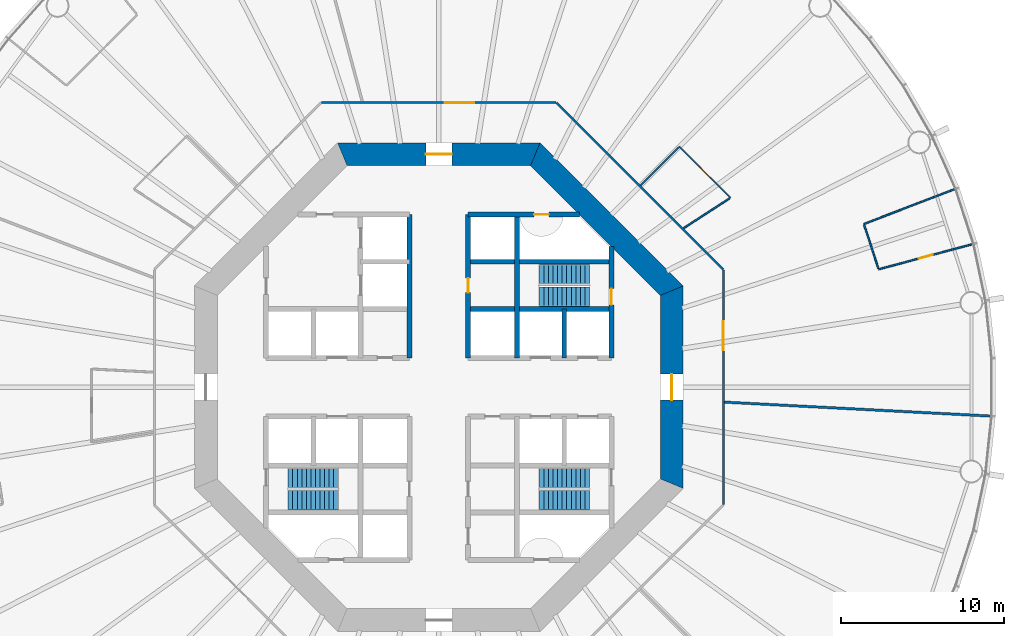
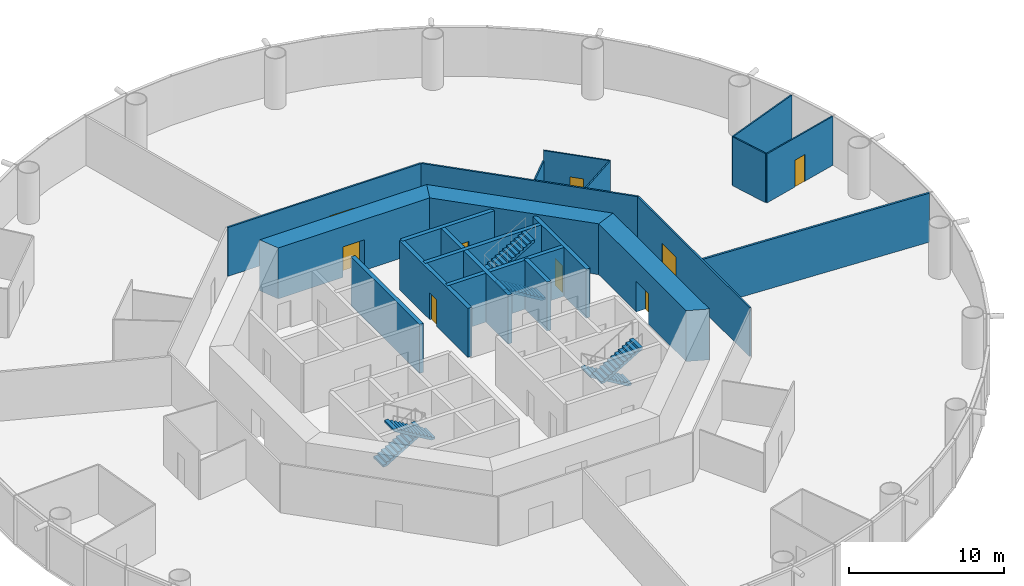
# One storey, part 5 of 12: 21 walls, 9 doors, 6 stair flights, 9 openings, 3 elements without a shape of their own.
"""IFC4 building model written with IfcOpenShell, lengths in metres."""

from ifc_helpers import new_model, si_unit, direction, frame, frame_2d, origin, place, context, subcontext, project, spatial, polyline, rectangle, outline, extrude, material, layer, layer_set, type_object, element, fill, aggregate, save


model = new_model("IFC4")

# Units and contexts
model_context = context("Model", 3, precision=1e-05, world=origin(), true_north=direction((0.0, 1.0)))
body_context = subcontext(model_context, "Body", "Model", "MODEL_VIEW")
ifc_project = project(units=[si_unit("LENGTHUNIT", "METRE"), si_unit("AREAUNIT", "SQUARE_METRE"), si_unit("VOLUMEUNIT", "CUBIC_METRE"), si_unit("PLANEANGLEUNIT", "RADIAN"), si_unit("MASSUNIT", "GRAM", prefix="KILO")], contexts=[model_context])

# Site, building, storey
site_placement = place(None, origin())
site = spatial("IfcSite", under=ifc_project, at=site_placement, CompositionType="ELEMENT")
building_placement = place(site_placement, origin())
building = spatial("IfcBuilding", under=site, at=building_placement, Name="Entoto Ring Tower", CompositionType="ELEMENT")
storey_placement = place(building_placement, frame((0.0, 0.0, 70.0)))
storey = spatial("IfcBuildingStorey", under=building, at=storey_placement, Name="L15", CompositionType="ELEMENT", Elevation=70.0)

# Wall, opening, door
ifc_material_1 = material(Name="Concrete C40/50", Category="concrete")
ifc_layer_1 = layer(ifc_material_1, 0.300048828125)
ifc_layer_set_1 = layer_set([ifc_layer_1], Name="Concrete C40/50")
wall_type_1 = type_object("IfcWallType", Name="Core enclosure wall 300 mm reinforced concrete", PredefinedType="SOLIDWALL", material=ifc_layer_set_1)
wall_1_placement = place(storey_placement, frame((100.60009765625, 81.800048828125, 0.0), z_axis=(0.0, 0.0, 1.0), x_axis=(0.0, 1.0, 0.0)))
wall_1 = element("IfcWall", 1, at=wall_1_placement, inside=storey, type_object=wall_type_1, Name="wall-L15-002", PredefinedType="SOLIDWALL", context=body_context, shape_type="SweptSolid", body=[
    extrude(rectangle(XDim=6.833251953125, YDim=0.300048828125, at=frame_2d((3.41650390625, 0.0))), origin(), (0.0, 0.0, 1.0), 3.85009765625),
])
opening_1_placement = place(wall_1_placement, frame((3.25, 0.0, 0.0)))
opening_1 = element("IfcOpeningElement", 2, at=opening_1_placement, cuts=wall_1, Name="Opening K-17", PredefinedType="OPENING", context=body_context, shape_type="SweptSolid", body=[
    extrude(rectangle(XDim=1.0, YDim=2.10009765625, at=frame_2d((0.5, 1.050048828125))), frame((0.0, 0.16015625, 0.0), z_axis=(0.0, -1.0, 0.0), x_axis=(1.0, 0.0, 0.0)), (0.0, 0.0, 1.0), 0.320068359375),
])
ifc_material_2 = material(Name="Steel door leaf, fire rated", Category="steel")
ifc_layer_2 = layer(ifc_material_2, 0.050048828125)
ifc_layer_set_2 = layer_set([ifc_layer_2], Name="Steel door leaf, fire rated")
door_type_1 = type_object("IfcDoorType", Name="Fire door FD60 1000 x 2100 single leaf", OperationType="NOTDEFINED", PredefinedType="DOOR", material=ifc_layer_set_2)
door_1_placement = place(opening_1_placement, origin())
door_1 = element("IfcDoor", 3, at=door_1_placement, inside=storey, type_object=door_type_1, Name="Door K-17", OperationType="SINGLE_SWING_LEFT", OverallHeight=2.10009765625, OverallWidth=1.0, PredefinedType="DOOR", context=body_context, shape_type="SweptSolid", body=[
    extrude(rectangle(XDim=1.0, YDim=2.10009765625, at=frame_2d((0.5, 1.050048828125))), frame((0.0, 0.02490234375, 0.0), z_axis=(0.0, -1.0, 0.0), x_axis=(1.0, 0.0, 0.0)), (0.0, 0.0, 1.0), 0.050048828125),
])
fill(opening_1, door_1)

# Walls
wall_2_placement = place(storey_placement, frame((97.699951171875, 81.800048828125, 0.0), z_axis=(0.0, 0.0, 1.0), x_axis=(0.0, 1.0, 0.0)))
element("IfcWall", 4, at=wall_2_placement, inside=storey, type_object=wall_type_1, Name="wall-L15-004", PredefinedType="SOLIDWALL", context=body_context, shape_type="SweptSolid", body=[
    extrude(rectangle(XDim=3.0, YDim=0.300048828125, at=frame_2d((1.5, 0.0))), origin(), (0.0, 0.0, 1.0), 3.85009765625),
])
wall_3_placement = place(storey_placement, frame((94.800048828125, 81.800048828125, 0.0), z_axis=(0.0, 0.0, 1.0), x_axis=(0.0, 1.0, 0.0)))
element("IfcWall", 5, at=wall_3_placement, inside=storey, type_object=wall_type_1, Name="wall-L15-006", PredefinedType="SOLIDWALL", context=body_context, shape_type="SweptSolid", body=[
    extrude(rectangle(XDim=8.800048828125, YDim=0.300048828125, at=frame_2d((4.39990234375, 0.0))), origin(), (0.0, 0.0, 1.0), 3.85009765625),
])

# Wall, opening, door
wall_4_placement = place(storey_placement, frame((91.800048828125, 81.800048828125, 0.0), z_axis=(0.0, 0.0, 1.0), x_axis=(0.0, 1.0, 0.0)))
wall_4 = element("IfcWall", 6, at=wall_4_placement, inside=storey, type_object=wall_type_1, Name="wall-L15-008", PredefinedType="SOLIDWALL", context=body_context, shape_type="SweptSolid", body=[
    extrude(rectangle(XDim=8.800048828125, YDim=0.300048828125, at=frame_2d((4.39990234375, 0.0))), origin(), (0.0, 0.0, 1.0), 3.85009765625),
])
opening_2_placement = place(wall_4_placement, frame((4.0, 0.0, 0.0)))
opening_2 = element("IfcOpeningElement", 7, at=opening_2_placement, cuts=wall_4, Name="Opening K-11", PredefinedType="OPENING", context=body_context, shape_type="SweptSolid", body=[
    extrude(rectangle(XDim=0.89990234375, YDim=2.10009765625, at=frame_2d((0.449951171875, 1.050048828125))), frame((0.0, 0.16015625, 0.0), z_axis=(0.0, -1.0, 0.0), x_axis=(1.0, 0.0, 0.0)), (0.0, 0.0, 1.0), 0.320068359375),
])
ifc_material_3 = material(Name="Steel door leaf, fire rated", Category="steel")
ifc_layer_3 = layer(ifc_material_3, 0.050048828125)
ifc_layer_set_3 = layer_set([ifc_layer_3], Name="Steel door leaf, fire rated")
door_type_2 = type_object("IfcDoorType", Name="Core door 900 x 2100 single leaf", OperationType="NOTDEFINED", PredefinedType="DOOR", material=ifc_layer_set_3)
door_2_placement = place(opening_2_placement, origin())
door_2 = element("IfcDoor", 8, at=door_2_placement, inside=storey, type_object=door_type_2, Name="Door K-11", OperationType="SINGLE_SWING_RIGHT", OverallHeight=2.10009765625, OverallWidth=0.89990234375, PredefinedType="DOOR", context=body_context, shape_type="SweptSolid", body=[
    extrude(rectangle(XDim=0.89990234375, YDim=2.10009765625, at=frame_2d((0.449951171875, 1.050048828125))), frame((0.0, 0.02490234375, 0.0), z_axis=(0.0, -1.0, 0.0), x_axis=(1.0, 0.0, 0.0)), (0.0, 0.0, 1.0), 0.050048828125),
])
fill(opening_2, door_2)

# Walls
for number, where, z_axis, x_axis, name in (
    (9, (88.199951171875, 81.800048828125, 0.0), (0.0, 0.0, 1.0), (0.0, 1.0, 0.0), "wall-L15-010"),
    (10, (91.800048828125, 84.800048828125, 0.0), (0.0, 0.0, 1.0), (1.0, 0.0, 0.0), "wall-L15-028"),
    (11, (91.800048828125, 87.699951171875, 0.0), (0.0, 0.0, 1.0), (1.0, 0.0, 0.0), "wall-L15-030"),
):
    element("IfcWall", number, at=place(storey_placement, frame(where, z_axis=z_axis, x_axis=x_axis)), inside=storey, type_object=wall_type_1, Name=name, PredefinedType="SOLIDWALL", context=body_context, shape_type="SweptSolid", body=[
        extrude(rectangle(XDim=8.800048828125, YDim=0.300048828125, at=frame_2d((4.39990234375, 0.0))), origin(), (0.0, 0.0, 1.0), 3.85009765625),
    ])

# Wall, opening, door
wall_5_placement = place(storey_placement, frame((91.800048828125, 90.60009765625, 0.0), z_axis=(0.0, 0.0, 1.0), x_axis=(1.0, 0.0, 0.0)))
wall_5 = element("IfcWall", 12, at=wall_5_placement, inside=storey, type_object=wall_type_1, Name="wall-L15-032", PredefinedType="SOLIDWALL", context=body_context, shape_type="SweptSolid", body=[
    extrude(rectangle(XDim=6.833251953125, YDim=0.300048828125, at=frame_2d((3.41650390625, 0.0))), origin(), (0.0, 0.0, 1.0), 3.85009765625),
])
opening_3_placement = place(wall_5_placement, frame((4.050048828125, 0.0, 0.0)))
opening_3 = element("IfcOpeningElement", 13, at=opening_3_placement, cuts=wall_5, Name="Opening K-20", PredefinedType="OPENING", context=body_context, shape_type="SweptSolid", body=[
    extrude(rectangle(XDim=0.89990234375, YDim=2.10009765625, at=frame_2d((0.449951171875, 1.050048828125))), frame((0.0, 0.16015625, 0.0), z_axis=(0.0, -1.0, 0.0), x_axis=(1.0, 0.0, 0.0)), (0.0, 0.0, 1.0), 0.320068359375),
])
ifc_material_4 = material(Name="Steel door leaf, fire rated", Category="steel")
ifc_layer_4 = layer(ifc_material_4, 0.050048828125)
ifc_layer_set_4 = layer_set([ifc_layer_4], Name="Steel door leaf, fire rated")
door_type_3 = type_object("IfcDoorType", Name="Riser door FD60 900 x 2100 single leaf", OperationType="NOTDEFINED", PredefinedType="DOOR", material=ifc_layer_set_4)
door_3_placement = place(opening_3_placement, frame((0.89990234375, 0.0, 0.0), z_axis=(0.0, 0.0, 1.0), x_axis=(-1.0, 0.0, 0.0)))
door_3 = element("IfcDoor", 14, at=door_3_placement, inside=storey, type_object=door_type_3, Name="Door K-20", OperationType="SINGLE_SWING_RIGHT", OverallHeight=2.10009765625, OverallWidth=0.89990234375, PredefinedType="DOOR", context=body_context, shape_type="SweptSolid", body=[
    extrude(rectangle(XDim=0.89990234375, YDim=2.10009765625, at=frame_2d((0.449951171875, 1.050048828125))), frame((0.0, 0.02490234375, 0.0), z_axis=(0.0, -1.0, 0.0), x_axis=(1.0, 0.0, 0.0)), (0.0, 0.0, 1.0), 0.050048828125),
])
fill(opening_3, door_3)

ifc_material_5 = material(Name="Concrete C60/75", Category="concrete")
ifc_layer_5 = layer(ifc_material_5, 1.39990234375)
ifc_layer_set_5 = layer_set([ifc_layer_5], Name="Concrete C60/75")
wall_type_2 = type_object("IfcWallType", Name="Core shear wall 1400 mm reinforced concrete C60/75", PredefinedType="SHEAR", material=ifc_layer_set_5)
wall_6_placement = place(storey_placement, frame((104.300048828125, 74.07666015625, 0.0), z_axis=(0.0, 0.0, 1.0), x_axis=(0.0, 1.0, 0.0)))
wall_6 = element("IfcWall", 15, at=wall_6_placement, inside=storey, type_object=wall_type_2, Name="wall-L15-core-0", PredefinedType="SHEAR", context=body_context, shape_type="SweptSolid", body=[
    extrude(outline(polyline([(-0.2900390625, -0.699951171875), (12.13671875, -0.699951171875), (11.556640625, 0.699951171875), (0.2900390625, 0.699951171875), (-0.2900390625, -0.699951171875)])), origin(), (0.0, 0.0, 1.0), 4.0),
])
opening_4_placement = place(wall_6_placement, frame((5.123291015625, 0.0, 0.0)))
opening_4 = element("IfcOpeningElement", 16, at=opening_4_placement, cuts=wall_6, Name="Opening K-01", PredefinedType="OPENING", context=body_context, shape_type="SweptSolid", body=[
    extrude(rectangle(XDim=1.60009765625, YDim=2.39990234375, at=frame_2d((0.800048828125, 1.199951171875))), frame((0.0, 0.7099609375, 0.0), z_axis=(0.0, -1.0, 0.0), x_axis=(1.0, 0.0, 0.0)), (0.0, 0.0, 1.0), 1.419921875),
])
ifc_material_6 = material(Name="Steel door leaf, fire rated", Category="steel")
ifc_layer_6 = layer(ifc_material_6, 0.050048828125)
ifc_layer_set_6 = layer_set([ifc_layer_6], Name="Steel door leaf, fire rated")
door_type_4 = type_object("IfcDoorType", Name="Entrance door FD60 1600 x 2400 double leaf", OperationType="DOUBLE_DOOR_SINGLE_SWING", PredefinedType="DOOR", material=ifc_layer_set_6)
door_4_placement = place(opening_4_placement, origin())
door_4 = element("IfcDoor", 17, at=door_4_placement, inside=storey, type_object=door_type_4, Name="Entrance door K-01", OperationType="DOUBLE_DOOR_SINGLE_SWING", OverallHeight=2.39990234375, OverallWidth=1.60009765625, PredefinedType="DOOR", context=body_context, shape_type="SweptSolid", body=[
    extrude(rectangle(XDim=1.60009765625, YDim=2.39990234375, at=frame_2d((0.800048828125, 1.199951171875))), frame((0.0, 0.02490234375, 0.0), z_axis=(0.0, -1.0, 0.0), x_axis=(1.0, 0.0, 0.0)), (0.0, 0.0, 1.0), 0.050048828125),
])
fill(opening_4, door_4)

# Wall
wall_7_placement = place(storey_placement, frame((104.300048828125, 85.92333984375, 0.0), z_axis=(0.0, 0.0, 1.0), x_axis=(-0.707106781187, 0.707106781187, 0.0)))
element("IfcWall", 18, at=wall_7_placement, inside=storey, type_object=wall_type_2, Name="wall-L15-core-1", PredefinedType="SHEAR", context=body_context, shape_type="SweptSolid", body=[
    extrude(outline(polyline([(-0.2900390625, -0.699951171875), (12.136474609375, -0.699951171875), (11.556396484375, 0.699951171875), (0.2900390625, 0.699951171875), (-0.2900390625, -0.699951171875)])), origin(), (0.0, 0.0, 1.0), 4.0),
])

# Wall, opening, door
wall_8_placement = place(storey_placement, frame((95.92333984375, 94.300048828125, 0.0), z_axis=(0.0, 0.0, 1.0), x_axis=(-1.0, 0.0, 0.0)))
wall_8 = element("IfcWall", 19, at=wall_8_placement, inside=storey, type_object=wall_type_2, Name="wall-L15-core-2", PredefinedType="SHEAR", context=body_context, shape_type="SweptSolid", body=[
    extrude(outline(polyline([(-0.2900390625, -0.699951171875), (12.13671875, -0.699951171875), (11.556640625, 0.699951171875), (0.2900390625, 0.699951171875), (-0.2900390625, -0.699951171875)])), origin(), (0.0, 0.0, 1.0), 4.0),
])
opening_5_placement = place(wall_8_placement, frame((5.123291015625, 0.0, 0.0)))
opening_5 = element("IfcOpeningElement", 20, at=opening_5_placement, cuts=wall_8, Name="Opening K-02", PredefinedType="OPENING", context=body_context, shape_type="SweptSolid", body=[
    extrude(rectangle(XDim=1.60009765625, YDim=2.39990234375, at=frame_2d((0.800048828125, 1.199951171875))), frame((0.0, 0.7099609375, 0.0), z_axis=(0.0, -1.0, 0.0), x_axis=(1.0, 0.0, 0.0)), (0.0, 0.0, 1.0), 1.419921875),
])
door_5_placement = place(opening_5_placement, origin())
door_5 = element("IfcDoor", 21, at=door_5_placement, inside=storey, type_object=door_type_4, Name="Entrance door K-02", OperationType="DOUBLE_DOOR_SINGLE_SWING", OverallHeight=2.39990234375, OverallWidth=1.60009765625, PredefinedType="DOOR", context=body_context, shape_type="SweptSolid", body=[
    extrude(rectangle(XDim=1.60009765625, YDim=2.39990234375, at=frame_2d((0.800048828125, 1.199951171875))), frame((0.0, 0.02490234375, 0.0), z_axis=(0.0, -1.0, 0.0), x_axis=(1.0, 0.0, 0.0)), (0.0, 0.0, 1.0), 0.050048828125),
])
fill(opening_5, door_5)

# Wall
ifc_material_7 = material(Name="Fire-resisting plasterboard on steel studs", Category="steel")
ifc_layer_7 = layer(ifc_material_7, 0.125)
ifc_layer_set_7 = layer_set([ifc_layer_7], Name="Fire-resisting plasterboard on steel studs")
wall_type_3 = type_object("IfcWallType", Name="Corridor wall 125 mm one-hour plasterboard on steel studs", PredefinedType="PARTITIONING", material=ifc_layer_set_7)
wall_9_placement = place(storey_placement, frame((107.46240234375, 87.233154296875, 0.0), z_axis=(0.0, 0.0, 1.0), x_axis=(-0.707106781187, 0.707106781187, 0.0)))
element("IfcWall", 22, at=wall_9_placement, inside=storey, type_object=wall_type_3, Name="partition-L15-004", PredefinedType="PARTITIONING", context=body_context, shape_type="SweptSolid", body=[
    extrude(rectangle(XDim=14.46630859375, YDim=0.125, at=frame_2d((7.233154296875, 0.0))), origin(), (0.0, 0.0, 1.0), 3.85009765625),
])

# Wall, opening, door
wall_10_placement = place(storey_placement, frame((82.810791015625, 97.46240234375, 0.0), z_axis=(0.0, 0.0, 1.0), x_axis=(1.0, 0.0, 0.0)))
wall_10 = element("IfcWall", 23, at=wall_10_placement, inside=storey, type_object=wall_type_3, Name="partition-L15-007", PredefinedType="PARTITIONING", context=body_context, shape_type="SweptSolid", body=[
    extrude(rectangle(XDim=14.37841796875, YDim=0.125, at=frame_2d((7.189208984375, 0.0))), origin(), (0.0, 0.0, 1.0), 3.85009765625),
])
opening_6_placement = place(wall_10_placement, frame((7.566162109375, 0.0, 0.0)))
opening_6 = element("IfcOpeningElement", 24, at=opening_6_placement, cuts=wall_10, Name="Opening A06-D01", PredefinedType="OPENING", context=body_context, shape_type="SweptSolid", body=[
    extrude(rectangle(XDim=1.800048828125, YDim=2.10009765625, at=frame_2d((0.89990234375, 1.050048828125))), frame((0.0, 0.072509765625, 0.0), z_axis=(0.0, -1.0, 0.0), x_axis=(1.0, 0.0, 0.0)), (0.0, 0.0, 1.0), 0.14501953125),
])
ifc_material_8 = material(Name="Fire-resisting timber door set", Category="wood")
door_type_5 = type_object("IfcDoorType", Name="Door 1800 x 2100 double leaf FD30S fire door", OperationType="DOUBLE_DOOR_SINGLE_SWING", PredefinedType="DOOR", material=ifc_material_8)
door_6_placement = place(opening_6_placement, frame((1.800048828125, 0.0, 0.0), z_axis=(0.0, 0.0, 1.0), x_axis=(-1.0, 0.0, 0.0)))
door_6 = element("IfcDoor", 25, at=door_6_placement, inside=storey, type_object=door_type_5, Name="Door A06-D01", OperationType="DOUBLE_DOOR_SINGLE_SWING", OverallHeight=2.10009765625, OverallWidth=1.800048828125, PredefinedType="DOOR", context=body_context, shape_type="SweptSolid", body=[
    extrude(rectangle(XDim=1.800048828125, YDim=2.10009765625, at=frame_2d((0.89990234375, 1.050048828125))), frame((0.0, 0.02490234375, 0.0), z_axis=(0.0, -1.0, 0.0), x_axis=(1.0, 0.0, 0.0)), (0.0, 0.0, 1.0), 0.050048828125),
])
fill(opening_6, door_6)

wall_11_placement = place(storey_placement, frame((107.46240234375, 72.810791015625, 0.0), z_axis=(0.0, 0.0, 1.0), x_axis=(0.0, 1.0, 0.0)))
wall_11 = element("IfcWall", 26, at=wall_11_placement, inside=storey, type_object=wall_type_3, Name="partition-L15-008", PredefinedType="PARTITIONING", context=body_context, shape_type="SweptSolid", body=[
    extrude(rectangle(XDim=14.37841796875, YDim=0.125, at=frame_2d((7.189208984375, 0.0))), origin(), (0.0, 0.0, 1.0), 3.85009765625),
])
opening_7_placement = place(wall_11_placement, frame((9.4482421875, 0.0, 0.0)))
opening_7 = element("IfcOpeningElement", 27, at=opening_7_placement, cuts=wall_11, Name="Opening A06-D02", PredefinedType="OPENING", context=body_context, shape_type="SweptSolid", body=[
    extrude(rectangle(XDim=1.800048828125, YDim=2.10009765625, at=frame_2d((0.89990234375, 1.050048828125))), frame((0.0, 0.072509765625, 0.0), z_axis=(0.0, -1.0, 0.0), x_axis=(1.0, 0.0, 0.0)), (0.0, 0.0, 1.0), 0.14501953125),
])
door_7_placement = place(opening_7_placement, origin())
door_7 = element("IfcDoor", 28, at=door_7_placement, inside=storey, type_object=door_type_5, Name="Door A06-D02", OperationType="DOUBLE_DOOR_SINGLE_SWING", OverallHeight=2.10009765625, OverallWidth=1.800048828125, PredefinedType="DOOR", context=body_context, shape_type="SweptSolid", body=[
    extrude(rectangle(XDim=1.800048828125, YDim=2.10009765625, at=frame_2d((0.89990234375, 1.050048828125))), frame((0.0, 0.02490234375, 0.0), z_axis=(0.0, -1.0, 0.0), x_axis=(1.0, 0.0, 0.0)), (0.0, 0.0, 1.0), 0.050048828125),
])
fill(opening_7, door_7)

ifc_material_9 = material(Name="Plasterboard on steel studs", Category="steel")
ifc_layer_8 = layer(ifc_material_9, 0.10009765625)
ifc_layer_set_8 = layer_set([ifc_layer_8], Name="Plasterboard on steel studs")
wall_type_4 = type_object("IfcWallType", Name="Partition 100 mm plasterboard on steel studs", PredefinedType="PARTITIONING", material=ifc_layer_set_8)
wall_12_placement = place(storey_placement, frame((116.99755859375, 87.23388671875, 0.0), z_axis=(0.0, 0.0, 1.0), x_axis=(0.965927129635, 0.258814180901, 0.0)))
wall_12 = element("IfcWall", 29, at=wall_12_placement, inside=storey, type_object=wall_type_4, Name="partition-L15-017", PredefinedType="PARTITIONING", context=body_context, shape_type="SweptSolid", body=[
    extrude(rectangle(XDim=5.989990234375, YDim=0.10009765625, at=frame_2d((2.9951171875, 0.0))), origin(), (0.0, 0.0, 1.0), 3.85009765625),
])
opening_8_placement = place(wall_12_placement, frame((2.544921875, 0.0, 0.0)))
opening_8 = element("IfcOpeningElement", 30, at=opening_8_placement, cuts=wall_12, Name="Opening A06-D04", PredefinedType="OPENING", context=body_context, shape_type="SweptSolid", body=[
    extrude(rectangle(XDim=0.89990234375, YDim=2.10009765625, at=frame_2d((0.449951171875, 1.050048828125))), frame((0.0, 0.06005859375, 0.0), z_axis=(0.0, -1.0, 0.0), x_axis=(1.0, 0.0, 0.0)), (0.0, 0.0, 1.0), 0.1201171875),
])
ifc_material_10 = material(Name="Veneered timber door leaf in timber frame", Category="wood")
door_type_6 = type_object("IfcDoorType", Name="Door 900 x 2100 single leaf timber veneer", OperationType="NOTDEFINED", PredefinedType="DOOR", material=ifc_material_10)
door_8_placement = place(opening_8_placement, origin())
door_8 = element("IfcDoor", 31, at=door_8_placement, inside=storey, type_object=door_type_6, Name="Door A06-D04", OperationType="SINGLE_SWING_RIGHT", OverallHeight=2.10009765625, OverallWidth=0.89990234375, PredefinedType="DOOR", context=body_context, shape_type="SweptSolid", body=[
    extrude(rectangle(XDim=0.89990234375, YDim=2.10009765625, at=frame_2d((0.449951171875, 1.050048828125))), frame((0.0, 0.02490234375, 0.0), z_axis=(0.0, -1.0, 0.0), x_axis=(1.0, 0.0, 0.0)), (0.0, 0.0, 1.0), 0.050048828125),
])
fill(opening_8, door_8)

# Wall
wall_13_placement = place(storey_placement, frame((116.093505859375, 90.016357421875, 0.0), z_axis=(0.0, 0.0, 1.0), x_axis=(0.933577557302, 0.358375423966, 0.0)))
element("IfcWall", 32, at=wall_13_placement, inside=storey, type_object=wall_type_4, Name="partition-L15-018", PredefinedType="PARTITIONING", context=body_context, shape_type="SweptSolid", body=[
    extrude(rectangle(XDim=5.990234375, YDim=0.10009765625, at=frame_2d((2.9951171875, 0.0))), origin(), (0.0, 0.0, 1.0), 3.85009765625),
])

# Wall, opening, door
wall_14_placement = place(storey_placement, frame((107.90478515625, 91.62744140625, 0.0), z_axis=(0.0, 0.0, 1.0), x_axis=(-0.707106781187, 0.707106781187, 0.0)))
wall_14 = element("IfcWall", 33, at=wall_14_placement, inside=storey, type_object=wall_type_4, Name="partition-L15-029", PredefinedType="PARTITIONING", context=body_context, shape_type="SweptSolid", body=[
    extrude(rectangle(XDim=4.438720703125, YDim=0.10009765625, at=frame_2d((2.21923828125, 0.0))), origin(), (0.0, 0.0, 1.0), 3.85009765625),
])
opening_9_placement = place(wall_14_placement, frame((1.769287109375, 0.0, 0.0)))
opening_9 = element("IfcOpeningElement", 34, at=opening_9_placement, cuts=wall_14, Name="Opening A06-D03", PredefinedType="OPENING", context=body_context, shape_type="SweptSolid", body=[
    extrude(rectangle(XDim=0.89990234375, YDim=2.10009765625, at=frame_2d((0.449951171875, 1.050048828125))), frame((0.0, 0.06005859375, 0.0), z_axis=(0.0, -1.0, 0.0), x_axis=(1.0, 0.0, 0.0)), (0.0, 0.0, 1.0), 0.1201171875),
])
door_9_placement = place(opening_9_placement, origin())
door_9 = element("IfcDoor", 35, at=door_9_placement, inside=storey, type_object=door_type_6, Name="Door A06-D03", OperationType="SINGLE_SWING_LEFT", OverallHeight=2.10009765625, OverallWidth=0.89990234375, PredefinedType="DOOR", context=body_context, shape_type="SweptSolid", body=[
    extrude(rectangle(XDim=0.89990234375, YDim=2.10009765625, at=frame_2d((0.449951171875, 1.050048828125))), frame((0.0, 0.02490234375, 0.0), z_axis=(0.0, -1.0, 0.0), x_axis=(1.0, 0.0, 0.0)), (0.0, 0.0, 1.0), 0.050048828125),
])
fill(opening_9, door_9)

# Walls
wall_15_placement = place(storey_placement, frame((105.034912109375, 89.763916015625, 0.0), z_axis=(0.0, 0.0, 1.0), x_axis=(0.838674279893, 0.544633319075, 0.0)))
element("IfcWall", 36, at=wall_15_placement, inside=storey, type_object=wall_type_4, Name="partition-L15-033", PredefinedType="PARTITIONING", context=body_context, shape_type="SweptSolid", body=[
    extrude(rectangle(XDim=3.360107421875, YDim=0.10009765625, at=frame_2d((1.68017578125, 0.0))), origin(), (0.0, 0.0, 1.0), 3.85009765625),
])
wall_16_placement = place(storey_placement, frame((116.982177734375, 87.281494140625, 0.0), z_axis=(0.0, 0.0, 1.0), x_axis=(-0.30903918652, 0.951049305344, 0.0)))
element("IfcWall", 37, at=wall_16_placement, inside=storey, type_object=wall_type_4, Name="partition-L15-036", PredefinedType="PARTITIONING", context=body_context, shape_type="SweptSolid", body=[
    extrude(rectangle(XDim=2.825927734375, YDim=0.10009765625, at=frame_2d((1.4130859375, 0.0))), origin(), (0.0, 0.0, 1.0), 3.85009765625),
])
ifc_material_11 = material(Name="Plasterboard on steel studs", Category="steel")
ifc_layer_9 = layer(ifc_material_11, 0.10009765625)
ifc_layer_set_9 = layer_set([ifc_layer_9], Name="Plasterboard on steel studs")
wall_type_5 = type_object("IfcWallType", Name="Partition 100 mm plasterboard on steel studs, 3050 mm high", PredefinedType="PARTITIONING", material=ifc_layer_set_9)
wall_17_placement = place(storey_placement, frame((102.39208984375, 92.39208984375, 0.0), z_axis=(0.0, 0.0, 1.0), x_axis=(0.707106781187, 0.707106781187, 0.0)))
element("IfcWall", 38, at=wall_17_placement, inside=storey, type_object=wall_type_5, Name="partition-L15-034", PredefinedType="PARTITIONING", context=body_context, shape_type="SweptSolid", body=[
    extrude(rectangle(XDim=3.307373046875, YDim=0.10009765625, at=frame_2d((1.65380859375, 0.0))), origin(), (0.0, 0.0, 1.0), 3.050048828125),
])
ifc_material_12 = material(Name="Fire-resisting acoustic plasterboard on steel studs", Category="steel")
ifc_layer_10 = layer(ifc_material_12, 0.14990234375)
ifc_layer_set_10 = layer_set([ifc_layer_10], Name="Fire-resisting acoustic plasterboard on steel studs")
wall_type_6 = type_object("IfcWallType", Name="Party wall 150 mm one-hour acoustic plasterboard on steel studs", PredefinedType="PARTITIONING", material=ifc_layer_set_10)
wall_18_placement = place(storey_placement, frame((123.8935546875, 78.2236328125, 0.0), z_axis=(0.0, 0.0, 1.0), x_axis=(-0.998629451785, 0.052337539372, 0.0)))
element("IfcWall", 39, at=wall_18_placement, inside=storey, type_object=wall_type_6, Name="partition-L15-010", PredefinedType="PARTITIONING", context=body_context, shape_type="SweptSolid", body=[
    extrude(rectangle(XDim=16.38720703125, YDim=0.14990234375, at=frame_2d((8.193603515625, 0.0))), origin(), (0.0, 0.0, 1.0), 3.85009765625),
])

# Stair, stair flights
ifc_material_13 = material(Name="Concrete C40/50", Category="concrete")
stair_type = type_object("IfcStairType", Name="Exit stair 1200 mm dog-leg reinforced concrete", PredefinedType="HALF_TURN_STAIR", material=ifc_material_13)
stair_1_placement = place(storey_placement, origin())
stair_1 = element("IfcStair", 40, at=stair_1_placement, inside=storey, type_object=stair_type, Name="Exit stair 1", PredefinedType="HALF_TURN_STAIR")
ifc_material_14 = material(Name="Concrete C40/50", Category="concrete")
stair_flight_type = type_object("IfcStairFlightType", Name="Stair flight 1200 mm reinforced concrete", PredefinedType="STRAIGHT", material=ifc_material_14)
stair_flight_1_placement = place(storey_placement, frame((99.25, 85.550048828125, 0.0), z_axis=(0.0, 0.0, 1.0), x_axis=(-1.0, 0.0, 0.0)))
stair_flight_1 = element("IfcStairFlight", 41, at=stair_flight_1_placement, type_object=stair_flight_type, Name="ST1 flight 1", NumberOfRisers=12, NumberOfTreads=11, PredefinedType="STRAIGHT", RiserHeight=0.166666667, TreadLength=0.28, context=body_context, shape_type="SweptSolid", body=[
    extrude(outline(polyline([(0.0, 0.0), (0.0, 0.166748046875), (0.280029296875, 0.166748046875), (0.280029296875, 0.333251953125), (0.56005859375, 0.333251953125), (0.56005859375, 0.5), (0.840087890625, 0.5), (0.840087890625, 0.666748046875), (1.1201171875, 0.666748046875), (1.1201171875, 0.833251953125), (1.39990234375, 0.833251953125), (1.39990234375, 1.0), (1.679931640625, 1.0), (1.679931640625, 1.166748046875), (1.9599609375, 1.166748046875), (1.9599609375, 1.333251953125), (2.239990234375, 1.333251953125), (2.239990234375, 1.5), (2.52001953125, 1.5), (2.52001953125, 1.666748046875), (2.800048828125, 1.666748046875), (2.800048828125, 1.833251953125), (3.080078125, 1.833251953125), (3.080078125, 2.0), (3.080078125, 1.658935546875), (0.29296875, 0.0), (0.0, 0.0)])), frame((0.0, 0.60009765625, 0.0), z_axis=(0.0, -1.0, 0.0), x_axis=(1.0, 0.0, 0.0)), (0.0, 0.0, 1.0), 1.199951171875),
])
stair_flight_2_placement = place(storey_placement, frame((96.169921875, 86.949951171875, 2.0), z_axis=(0.0, 0.0, 1.0), x_axis=(1.0, 0.0, 0.0)))
stair_flight_2 = element("IfcStairFlight", 42, at=stair_flight_2_placement, type_object=stair_flight_type, Name="ST1 flight 2", NumberOfRisers=12, NumberOfTreads=11, PredefinedType="STRAIGHT", RiserHeight=0.166666667, TreadLength=0.28, context=body_context, shape_type="SweptSolid", body=[
    extrude(outline(polyline([(0.0, 0.0), (0.0, 0.166748046875), (0.280029296875, 0.166748046875), (0.280029296875, 0.333251953125), (0.56005859375, 0.333251953125), (0.56005859375, 0.5), (0.840087890625, 0.5), (0.840087890625, 0.666748046875), (1.1201171875, 0.666748046875), (1.1201171875, 0.833251953125), (1.39990234375, 0.833251953125), (1.39990234375, 1.0), (1.679931640625, 1.0), (1.679931640625, 1.166748046875), (1.9599609375, 1.166748046875), (1.9599609375, 1.333251953125), (2.239990234375, 1.333251953125), (2.239990234375, 1.5), (2.52001953125, 1.5), (2.52001953125, 1.666748046875), (2.800048828125, 1.666748046875), (2.800048828125, 1.833251953125), (3.080078125, 1.833251953125), (3.080078125, 2.0), (3.080078125, 1.658935546875), (0.29296875, 0.0), (0.0, 0.0)])), frame((0.0, 0.60009765625, 0.0), z_axis=(0.0, -1.0, 0.0), x_axis=(1.0, 0.0, 0.0)), (0.0, 0.0, 1.0), 1.199951171875),
])
aggregate(stair_1, [stair_flight_1, stair_flight_2])

stair_2_placement = place(storey_placement, origin())
stair_2 = element("IfcStair", 43, at=stair_2_placement, inside=storey, type_object=stair_type, Name="Exit stair 2", PredefinedType="HALF_TURN_STAIR")
stair_flight_3_placement = place(storey_placement, frame((80.75, 74.449951171875, 0.0), z_axis=(0.0, 0.0, 1.0), x_axis=(1.0, 0.0, 0.0)))
stair_flight_3 = element("IfcStairFlight", 44, at=stair_flight_3_placement, type_object=stair_flight_type, Name="ST2 flight 1", NumberOfRisers=12, NumberOfTreads=11, PredefinedType="STRAIGHT", RiserHeight=0.166666667, TreadLength=0.28, context=body_context, shape_type="SweptSolid", body=[
    extrude(outline(polyline([(0.0, 0.0), (0.0, 0.166748046875), (0.280029296875, 0.166748046875), (0.280029296875, 0.333251953125), (0.56005859375, 0.333251953125), (0.56005859375, 0.5), (0.840087890625, 0.5), (0.840087890625, 0.666748046875), (1.1201171875, 0.666748046875), (1.1201171875, 0.833251953125), (1.39990234375, 0.833251953125), (1.39990234375, 1.0), (1.679931640625, 1.0), (1.679931640625, 1.166748046875), (1.9599609375, 1.166748046875), (1.9599609375, 1.333251953125), (2.239990234375, 1.333251953125), (2.239990234375, 1.5), (2.52001953125, 1.5), (2.52001953125, 1.666748046875), (2.800048828125, 1.666748046875), (2.800048828125, 1.833251953125), (3.080078125, 1.833251953125), (3.080078125, 2.0), (3.080078125, 1.658935546875), (0.29296875, 0.0), (0.0, 0.0)])), frame((0.0, 0.60009765625, 0.0), z_axis=(0.0, -1.0, 0.0), x_axis=(1.0, 0.0, 0.0)), (0.0, 0.0, 1.0), 1.199951171875),
])
stair_flight_4_placement = place(storey_placement, frame((83.830078125, 73.050048828125, 2.0), z_axis=(0.0, 0.0, 1.0), x_axis=(-1.0, 0.0, 0.0)))
stair_flight_4 = element("IfcStairFlight", 45, at=stair_flight_4_placement, type_object=stair_flight_type, Name="ST2 flight 2", NumberOfRisers=12, NumberOfTreads=11, PredefinedType="STRAIGHT", RiserHeight=0.166666667, TreadLength=0.28, context=body_context, shape_type="SweptSolid", body=[
    extrude(outline(polyline([(0.0, 0.0), (0.0, 0.166748046875), (0.280029296875, 0.166748046875), (0.280029296875, 0.333251953125), (0.56005859375, 0.333251953125), (0.56005859375, 0.5), (0.840087890625, 0.5), (0.840087890625, 0.666748046875), (1.1201171875, 0.666748046875), (1.1201171875, 0.833251953125), (1.39990234375, 0.833251953125), (1.39990234375, 1.0), (1.679931640625, 1.0), (1.679931640625, 1.166748046875), (1.9599609375, 1.166748046875), (1.9599609375, 1.333251953125), (2.239990234375, 1.333251953125), (2.239990234375, 1.5), (2.52001953125, 1.5), (2.52001953125, 1.666748046875), (2.800048828125, 1.666748046875), (2.800048828125, 1.833251953125), (3.080078125, 1.833251953125), (3.080078125, 2.0), (3.080078125, 1.658935546875), (0.29296875, 0.0), (0.0, 0.0)])), frame((0.0, 0.60009765625, 0.0), z_axis=(0.0, -1.0, 0.0), x_axis=(1.0, 0.0, 0.0)), (0.0, 0.0, 1.0), 1.199951171875),
])
aggregate(stair_2, [stair_flight_3, stair_flight_4])

stair_3_placement = place(storey_placement, origin())
stair_3 = element("IfcStair", 46, at=stair_3_placement, inside=storey, type_object=stair_type, Name="Exit stair 3", PredefinedType="HALF_TURN_STAIR")
stair_flight_5_placement = place(storey_placement, frame((99.25, 74.449951171875, 0.0), z_axis=(0.0, 0.0, 1.0), x_axis=(-1.0, 0.0, 0.0)))
stair_flight_5 = element("IfcStairFlight", 47, at=stair_flight_5_placement, type_object=stair_flight_type, Name="ST3 flight 1", NumberOfRisers=12, NumberOfTreads=11, PredefinedType="STRAIGHT", RiserHeight=0.166666667, TreadLength=0.28, context=body_context, shape_type="SweptSolid", body=[
    extrude(outline(polyline([(0.0, 0.0), (0.0, 0.166748046875), (0.280029296875, 0.166748046875), (0.280029296875, 0.333251953125), (0.56005859375, 0.333251953125), (0.56005859375, 0.5), (0.840087890625, 0.5), (0.840087890625, 0.666748046875), (1.1201171875, 0.666748046875), (1.1201171875, 0.833251953125), (1.39990234375, 0.833251953125), (1.39990234375, 1.0), (1.679931640625, 1.0), (1.679931640625, 1.166748046875), (1.9599609375, 1.166748046875), (1.9599609375, 1.333251953125), (2.239990234375, 1.333251953125), (2.239990234375, 1.5), (2.52001953125, 1.5), (2.52001953125, 1.666748046875), (2.800048828125, 1.666748046875), (2.800048828125, 1.833251953125), (3.080078125, 1.833251953125), (3.080078125, 2.0), (3.080078125, 1.658935546875), (0.29296875, 0.0), (0.0, 0.0)])), frame((0.0, 0.60009765625, 0.0), z_axis=(0.0, -1.0, 0.0), x_axis=(1.0, 0.0, 0.0)), (0.0, 0.0, 1.0), 1.199951171875),
])
stair_flight_6_placement = place(storey_placement, frame((96.169921875, 73.050048828125, 2.0), z_axis=(0.0, 0.0, 1.0), x_axis=(1.0, 0.0, 0.0)))
stair_flight_6 = element("IfcStairFlight", 48, at=stair_flight_6_placement, type_object=stair_flight_type, Name="ST3 flight 2", NumberOfRisers=12, NumberOfTreads=11, PredefinedType="STRAIGHT", RiserHeight=0.166666667, TreadLength=0.28, context=body_context, shape_type="SweptSolid", body=[
    extrude(outline(polyline([(0.0, 0.0), (0.0, 0.166748046875), (0.280029296875, 0.166748046875), (0.280029296875, 0.333251953125), (0.56005859375, 0.333251953125), (0.56005859375, 0.5), (0.840087890625, 0.5), (0.840087890625, 0.666748046875), (1.1201171875, 0.666748046875), (1.1201171875, 0.833251953125), (1.39990234375, 0.833251953125), (1.39990234375, 1.0), (1.679931640625, 1.0), (1.679931640625, 1.166748046875), (1.9599609375, 1.166748046875), (1.9599609375, 1.333251953125), (2.239990234375, 1.333251953125), (2.239990234375, 1.5), (2.52001953125, 1.5), (2.52001953125, 1.666748046875), (2.800048828125, 1.666748046875), (2.800048828125, 1.833251953125), (3.080078125, 1.833251953125), (3.080078125, 2.0), (3.080078125, 1.658935546875), (0.29296875, 0.0), (0.0, 0.0)])), frame((0.0, 0.60009765625, 0.0), z_axis=(0.0, -1.0, 0.0), x_axis=(1.0, 0.0, 0.0)), (0.0, 0.0, 1.0), 1.199951171875),
])
aggregate(stair_3, [stair_flight_5, stair_flight_6])

save(model, "model.ifc")
